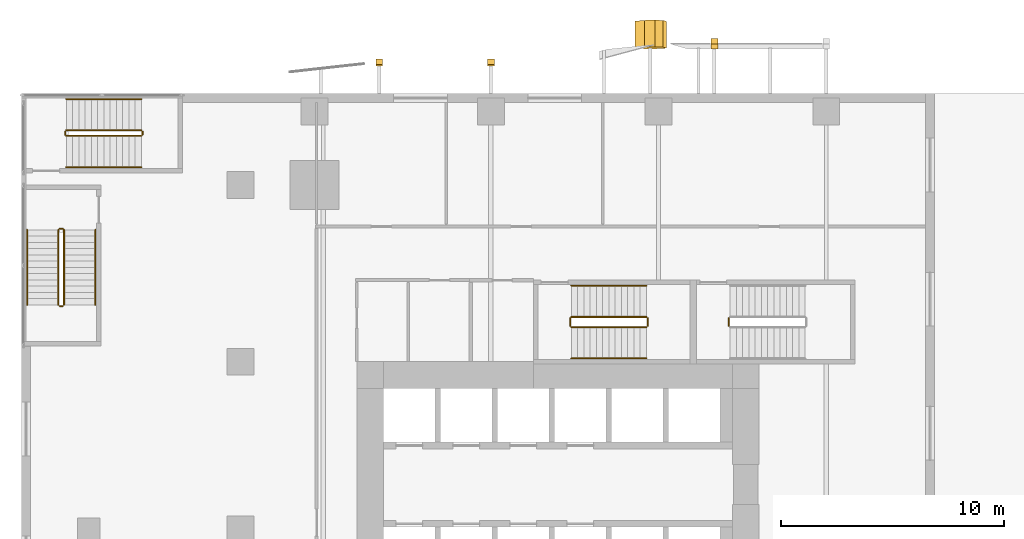
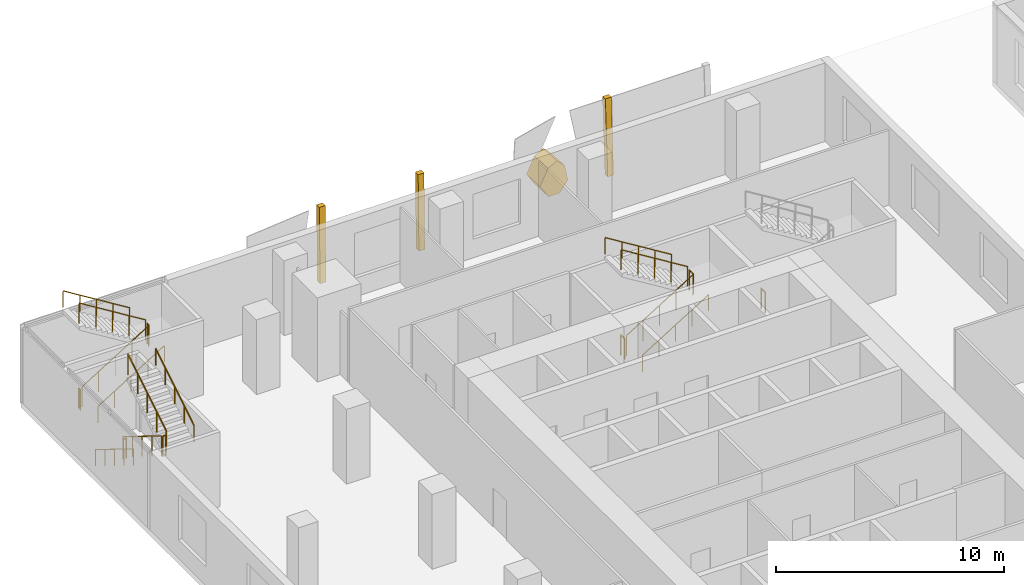
# One storey, part 18 of 21: 19 railings, 4 coverings.
"""IFC4 building model written with IfcOpenShell, lengths in metres."""

from ifc_helpers import new_model, si_unit, direction, frame, origin, origin_2d, place, context, subcontext, project, spatial, polyline, circle, outline, extrude, source, transform, mapped, material, layer, layer_set, type_object, element, save


model = new_model("IFC4")

# Units and contexts
model_context = context("Model", 3, precision=1e-05, world=origin(), true_north=direction((0.0, 1.0)))
body_context = subcontext(model_context, "Body", "Model", "MODEL_VIEW")
ifc_project = project(units=[si_unit("LENGTHUNIT", "METRE"), si_unit("AREAUNIT", "SQUARE_METRE"), si_unit("VOLUMEUNIT", "CUBIC_METRE"), si_unit("PLANEANGLEUNIT", "RADIAN"), si_unit("MASSUNIT", "GRAM", prefix="KILO")], contexts=[model_context])

# Site, building, storey
site_placement = place(None, origin())
site = spatial("IfcSite", under=ifc_project, at=site_placement, CompositionType="ELEMENT")
building_placement = place(site_placement, origin())
building = spatial("IfcBuilding", under=site, at=building_placement, Name="Khomas Fold Tower", CompositionType="ELEMENT")
storey_placement = place(building_placement, frame((0.0, 0.0, 28.5)))
storey = spatial("IfcBuildingStorey", under=building, at=storey_placement, Name="L05", CompositionType="ELEMENT", Elevation=28.5)

# Coverings
ifc_material_1 = material(Name="Natural stone cladding", Category="masonry")
ifc_layer_1 = layer(ifc_material_1, 0.25)
ifc_layer_set_1 = layer_set([ifc_layer_1], Name="Natural stone cladding")
covering_type_1 = type_object("IfcCoveringType", Name="SK-Karibib marble stone mullion", PredefinedType="CLADDING", material=ifc_layer_set_1)
for number, where, z_axis, x_axis, name in (
    (1, (6.85009765625, 55.230224609375, 0.0), (0.0, -0.999876254337, 0.015731370329), (0.0, 0.015731370329, 0.999876254337), "OUTER SKIN mullion L05 NM099-2"),
    (2, (12.14990234375, 55.2939453125, 4.050048828125), (0.0, -0.999876254337, 0.015731370329), (0.0, -0.015731370329, -0.999876254337), "OUTER SKIN mullion L05 NM100-3"),
):
    element("IfcCovering", number, at=place(storey_placement, frame(where, z_axis=z_axis, x_axis=x_axis)), inside=storey, type_object=covering_type_1, Name=name, PredefinedType="CLADDING", context=body_context, shape_type="SweptSolid", body=[
        extrude(outline(polyline([(0.0, 0.0), (4.050550066127245, 0.0), (4.050550066127245, -0.2998046875), (0.0, -0.2998046875), (0.0, 0.0)])), origin(), (0.0, 0.0, -1.0), 0.25),
    ])
covering_1_placement = place(storey_placement, frame((22.14990234375, 56.212890625, 4.050048828125), z_axis=(0.0, -0.998627623239, 0.052372417398), x_axis=(0.0, -0.052372417398, -0.998627623239)))
element("IfcCovering", 3, at=covering_1_placement, inside=storey, type_object=covering_type_1, Name="OUTER SKIN mullion L05 NM102-6", PredefinedType="CLADDING", context=body_context, shape_type="SweptSolid", body=[
    extrude(outline(polyline([(0.0, 0.0), (4.055614659435384, 0.0), (4.055614659435384, -0.2998046875), (0.0, -0.2998046875), (0.0, 0.0)])), origin(), (0.0, 0.0, -1.0), 0.25),
])
ifc_material_2 = material(Name="Natural stone cladding", Category="masonry")
ifc_layer_2 = layer(ifc_material_2, 1.199951171875)
ifc_layer_set_2 = layer_set([ifc_layer_2], Name="Natural stone cladding")
covering_type_2 = type_object("IfcCoveringType", Name="SK-Karibib marble stone panel", PredefinedType="CLADDING", material=ifc_layer_set_2)
covering_2_placement = place(storey_placement, frame((18.44921875, 56.034912109375, 0.65625), z_axis=(9.327259e-05, -0.998627327443, 0.052377974238), x_axis=(0.457891581446, 0.046607090606, 0.887785491403)))
element("IfcCovering", 4, at=covering_2_placement, inside=storey, type_object=covering_type_2, Name="OUTER SKIN leaf L05 NS05-1", PredefinedType="CLADDING", context=body_context, shape_type="SweptSolid", body=[
    extrude(outline(polyline([(0.0, 0.0), (0.9069465716216871, 5.551115123125783e-17), (1.3333639947640028, -0.3062698282906056), (1.1788591341948853, -0.8082166631725579), (0.5274575229037594, -1.3038311872241914), (-0.1457734907803711, -1.1521470374628402), (-0.40110170660619504, -0.6564208758639892), (0.0, 0.0)])), origin(), (0.0, 0.0, -1.0), 1.199951171875),
])

# Railings
ifc_material_3 = material(Name="Steel balustrade", Category="steel")
railing_type_1 = type_object("IfcRailingType", Name="Stair guard", PredefinedType="GUARDRAIL", material=ifc_material_3)
shared_shape_1 = source(origin(), body_context, "Body", "SweptSolid", [
    extrude(circle(Radius=0.02392578125, at=origin_2d()), frame((0.0, 0.0, 1.076171875), z_axis=(0.850606129759, 0.0, 0.525803396734), x_axis=(0.0, 1.0, 0.0)), (0.0, 0.0, 1.0), 3.949951171875),
    extrude(circle(Radius=0.02099609375, at=origin_2d()), origin(), (0.0, 0.0, 1.0), 1.052001953125),
    extrude(circle(Radius=0.02099609375, at=origin_2d()), frame((0.83984375, 0.0, 0.519287109375)), (0.0, 0.0, 1.0), 1.052001953125),
    extrude(circle(Radius=0.02099609375, at=origin_2d()), frame((1.679931640625, 0.0, 1.03857421875)), (0.0, 0.0, 1.0), 1.052001953125),
    extrude(circle(Radius=0.02099609375, at=origin_2d()), frame((2.52001953125, 0.0, 1.5576171875)), (0.0, 0.0, 1.0), 1.052001953125),
    extrude(circle(Radius=0.02099609375, at=origin_2d()), frame((3.35986328125, 0.0, 2.076904296875)), (0.0, 0.0, 1.0), 1.052001953125),
])
railing_1_placement = place(storey_placement, frame((15.60009765625, 43.550048828125, 0.173095703125)))
element("IfcRailing", 5, at=railing_1_placement, inside=storey, type_object=railing_type_1, Name="L05 ST1 stair guard 1", PredefinedType="GUARDRAIL", context=body_context, shape_type="MappedRepresentation", body=[
    mapped(shared_shape_1, transform((0.0, 0.0, 0.0))),
])
shared_shape_2 = source(origin(), body_context, "Body", "SweptSolid", [
    extrude(circle(Radius=0.02392578125, at=origin_2d()), frame((0.0, 0.0, 1.076171875), z_axis=(0.0, 1.0, 0.0), x_axis=(-1.0, 0.0, 0.0)), (0.0, 0.0, 1.0), 0.349853515625),
    extrude(circle(Radius=0.02099609375, at=origin_2d()), origin(), (0.0, 0.0, 1.0), 1.052001953125),
    extrude(circle(Radius=0.02099609375, at=origin_2d()), frame((0.0, 0.349853515625, 0.0)), (0.0, 0.0, 1.0), 1.052001953125),
])
for number, where, name in (
    (6, (19.010009765625, 43.60009765625, 2.25), "L05 ST1 stair guard 2"),
    (7, (15.550048828125, 43.60009765625, 0.0), "L05 ST1 stair guard 4"),
    (8, (22.64990234375, 43.60009765625, 0.0), "L05 ST3 stair guard 4"),
):
    element("IfcRailing", number, at=place(storey_placement, frame(where)), inside=storey, type_object=railing_type_1, Name=name, PredefinedType="GUARDRAIL", context=body_context, shape_type="MappedRepresentation", body=[
        mapped(shared_shape_2, transform((0.0, 0.0, 0.0))),
    ])
shared_shape_3 = source(origin(), body_context, "Body", "SweptSolid", [
    extrude(circle(Radius=0.02392578125, at=origin_2d()), frame((0.0, 0.0, 1.076171875), z_axis=(-0.850606129759, 0.0, 0.525803396734), x_axis=(0.0, -1.0, 0.0)), (0.0, 0.0, 1.0), 3.949951171875),
    extrude(circle(Radius=0.02099609375, at=origin_2d()), origin(), (0.0, 0.0, 1.0), 1.052001953125),
    extrude(circle(Radius=0.02099609375, at=origin_2d()), frame((-0.83984375, 0.0, 0.519287109375)), (0.0, 0.0, 1.0), 1.052001953125),
    extrude(circle(Radius=0.02099609375, at=origin_2d()), frame((-1.679931640625, 0.0, 1.03857421875)), (0.0, 0.0, 1.0), 1.052001953125),
    extrude(circle(Radius=0.02099609375, at=origin_2d()), frame((-2.52001953125, 0.0, 1.5576171875)), (0.0, 0.0, 1.0), 1.052001953125),
    extrude(circle(Radius=0.02099609375, at=origin_2d()), frame((-3.35986328125, 0.0, 2.076904296875)), (0.0, 0.0, 1.0), 1.052001953125),
])
railing_2_placement = place(storey_placement, frame((18.9599609375, 44.0, 2.423095703125)))
element("IfcRailing", 9, at=railing_2_placement, inside=storey, type_object=railing_type_1, Name="L05 ST1 stair guard 3", PredefinedType="GUARDRAIL", context=body_context, shape_type="MappedRepresentation", body=[
    mapped(shared_shape_3, transform((0.0, 0.0, 0.0))),
])
ifc_material_4 = material(Name="Steel handrail", Category="steel")
railing_type_2 = type_object("IfcRailingType", Name="Stair handrail", PredefinedType="HANDRAIL", material=ifc_material_4)
shared_shape_4 = source(origin(), body_context, "Body", "SweptSolid", [
    extrude(circle(Radius=0.02392578125, at=origin_2d()), frame((0.0, 0.0, 0.8759765625), z_axis=(0.850606129759, 0.0, 0.525803396734), x_axis=(0.0, 1.0, 0.0)), (0.0, 0.0, 1.0), 3.949951171875),
    extrude(circle(Radius=0.02099609375, at=origin_2d()), origin(), (0.0, 0.0, 1.0), 0.851806640625),
    extrude(circle(Radius=0.02099609375, at=origin_2d()), frame((0.83984375, 0.0, 0.519287109375)), (0.0, 0.0, 1.0), 0.851806640625),
    extrude(circle(Radius=0.02099609375, at=origin_2d()), frame((1.679931640625, 0.0, 1.03857421875)), (0.0, 0.0, 1.0), 0.851806640625),
    extrude(circle(Radius=0.02099609375, at=origin_2d()), frame((2.52001953125, 0.0, 1.5576171875)), (0.0, 0.0, 1.0), 0.851806640625),
    extrude(circle(Radius=0.02099609375, at=origin_2d()), frame((3.35986328125, 0.0, 2.076904296875)), (0.0, 0.0, 1.0), 0.851806640625),
])
railing_3_placement = place(storey_placement, frame((15.60009765625, 42.14990234375, 0.173095703125)))
element("IfcRailing", 10, at=railing_3_placement, inside=storey, type_object=railing_type_2, Name="L05 ST1 stair handrail 1", PredefinedType="HANDRAIL", context=body_context, shape_type="MappedRepresentation", body=[
    mapped(shared_shape_4, transform((0.0, 0.0, 0.0))),
])
shared_shape_5 = source(origin(), body_context, "Body", "SweptSolid", [
    extrude(circle(Radius=0.02392578125, at=origin_2d()), frame((0.0, 0.0, 0.8759765625), z_axis=(-0.850606129759, 0.0, 0.525803396734), x_axis=(0.0, -1.0, 0.0)), (0.0, 0.0, 1.0), 3.949951171875),
    extrude(circle(Radius=0.02099609375, at=origin_2d()), origin(), (0.0, 0.0, 1.0), 0.851806640625),
    extrude(circle(Radius=0.02099609375, at=origin_2d()), frame((-0.83984375, 0.0, 0.519287109375)), (0.0, 0.0, 1.0), 0.851806640625),
    extrude(circle(Radius=0.02099609375, at=origin_2d()), frame((-1.679931640625, 0.0, 1.03857421875)), (0.0, 0.0, 1.0), 0.851806640625),
    extrude(circle(Radius=0.02099609375, at=origin_2d()), frame((-2.52001953125, 0.0, 1.5576171875)), (0.0, 0.0, 1.0), 0.851806640625),
    extrude(circle(Radius=0.02099609375, at=origin_2d()), frame((-3.35986328125, 0.0, 2.076904296875)), (0.0, 0.0, 1.0), 0.851806640625),
])
railing_4_placement = place(storey_placement, frame((18.9599609375, 45.39990234375, 2.423095703125)))
element("IfcRailing", 11, at=railing_4_placement, inside=storey, type_object=railing_type_2, Name="L05 ST1 stair handrail 2", PredefinedType="HANDRAIL", context=body_context, shape_type="MappedRepresentation", body=[
    mapped(shared_shape_5, transform((0.0, 0.0, 0.0))),
])
shared_shape_6 = source(origin(), body_context, "Body", "SweptSolid", [
    extrude(circle(Radius=0.02392578125, at=origin_2d()), frame((0.0, 0.0, 1.076171875), z_axis=(0.850623216509, 0.0, 0.525775754039), x_axis=(0.0, 1.0, 0.0)), (0.0, 0.0, 1.0), 3.9501953125),
    extrude(circle(Radius=0.02099609375, at=origin_2d()), origin(), (0.0, 0.0, 1.0), 1.052001953125),
    extrude(circle(Radius=0.02099609375, at=origin_2d()), frame((0.840087890625, 0.0, 0.519287109375)), (0.0, 0.0, 1.0), 1.052001953125),
    extrude(circle(Radius=0.02099609375, at=origin_2d()), frame((1.68017578125, 0.0, 1.03857421875)), (0.0, 0.0, 1.0), 1.052001953125),
    extrude(circle(Radius=0.02099609375, at=origin_2d()), frame((2.52001953125, 0.0, 1.5576171875)), (0.0, 0.0, 1.0), 1.052001953125),
    extrude(circle(Radius=0.02099609375, at=origin_2d()), frame((3.360107421875, 0.0, 2.076904296875)), (0.0, 0.0, 1.0), 1.052001953125),
])
railing_5_placement = place(storey_placement, frame((-7.0, 52.10009765625, 0.173095703125)))
element("IfcRailing", 12, at=railing_5_placement, inside=storey, type_object=railing_type_1, Name="L05 PS7 stair guard 1", PredefinedType="GUARDRAIL", context=body_context, shape_type="MappedRepresentation", body=[
    mapped(shared_shape_6, transform((0.0, 0.0, 0.0))),
])
shared_shape_7 = source(origin(), body_context, "Body", "SweptSolid", [
    extrude(circle(Radius=0.02392578125, at=origin_2d()), frame((0.0, 0.0, 1.076171875), z_axis=(-0.850623216509, 0.0, 0.525775754039), x_axis=(0.0, -1.0, 0.0)), (0.0, 0.0, 1.0), 3.9501953125),
    extrude(circle(Radius=0.02099609375, at=origin_2d()), origin(), (0.0, 0.0, 1.0), 1.052001953125),
    extrude(circle(Radius=0.02099609375, at=origin_2d()), frame((-0.840087890625, 0.0, 0.519287109375)), (0.0, 0.0, 1.0), 1.052001953125),
    extrude(circle(Radius=0.02099609375, at=origin_2d()), frame((-1.68017578125, 0.0, 1.03857421875)), (0.0, 0.0, 1.0), 1.052001953125),
    extrude(circle(Radius=0.02099609375, at=origin_2d()), frame((-2.52001953125, 0.0, 1.5576171875)), (0.0, 0.0, 1.0), 1.052001953125),
    extrude(circle(Radius=0.02099609375, at=origin_2d()), frame((-3.360107421875, 0.0, 2.076904296875)), (0.0, 0.0, 1.0), 1.052001953125),
])
railing_6_placement = place(storey_placement, frame((-3.639892578125, 52.35009765625, 2.423095703125)))
element("IfcRailing", 13, at=railing_6_placement, inside=storey, type_object=railing_type_1, Name="L05 PS7 stair guard 3", PredefinedType="GUARDRAIL", context=body_context, shape_type="MappedRepresentation", body=[
    mapped(shared_shape_7, transform((0.0, 0.0, 0.0))),
])
shared_shape_8 = source(origin(), body_context, "Body", "SweptSolid", [
    extrude(circle(Radius=0.02392578125, at=origin_2d()), frame((0.0, 0.0, 0.8759765625), z_axis=(0.850623216509, 0.0, 0.525775754039), x_axis=(0.0, 1.0, 0.0)), (0.0, 0.0, 1.0), 3.9501953125),
    extrude(circle(Radius=0.02099609375, at=origin_2d()), origin(), (0.0, 0.0, 1.0), 0.851806640625),
    extrude(circle(Radius=0.02099609375, at=origin_2d()), frame((0.840087890625, 0.0, 0.519287109375)), (0.0, 0.0, 1.0), 0.851806640625),
    extrude(circle(Radius=0.02099609375, at=origin_2d()), frame((1.68017578125, 0.0, 1.03857421875)), (0.0, 0.0, 1.0), 0.851806640625),
    extrude(circle(Radius=0.02099609375, at=origin_2d()), frame((2.52001953125, 0.0, 1.5576171875)), (0.0, 0.0, 1.0), 0.851806640625),
    extrude(circle(Radius=0.02099609375, at=origin_2d()), frame((3.360107421875, 0.0, 2.076904296875)), (0.0, 0.0, 1.0), 0.851806640625),
])
railing_7_placement = place(storey_placement, frame((-7.0, 50.699951171875, 0.173095703125)))
element("IfcRailing", 14, at=railing_7_placement, inside=storey, type_object=railing_type_2, Name="L05 PS7 stair handrail 1", PredefinedType="HANDRAIL", context=body_context, shape_type="MappedRepresentation", body=[
    mapped(shared_shape_8, transform((0.0, 0.0, 0.0))),
])
shared_shape_9 = source(origin(), body_context, "Body", "SweptSolid", [
    extrude(circle(Radius=0.02392578125, at=origin_2d()), frame((0.0, 0.0, 0.8759765625), z_axis=(-0.850623216509, 0.0, 0.525775754039), x_axis=(0.0, -1.0, 0.0)), (0.0, 0.0, 1.0), 3.9501953125),
    extrude(circle(Radius=0.02099609375, at=origin_2d()), origin(), (0.0, 0.0, 1.0), 0.851806640625),
    extrude(circle(Radius=0.02099609375, at=origin_2d()), frame((-0.840087890625, 0.0, 0.519287109375)), (0.0, 0.0, 1.0), 0.851806640625),
    extrude(circle(Radius=0.02099609375, at=origin_2d()), frame((-1.68017578125, 0.0, 1.03857421875)), (0.0, 0.0, 1.0), 0.851806640625),
    extrude(circle(Radius=0.02099609375, at=origin_2d()), frame((-2.52001953125, 0.0, 1.5576171875)), (0.0, 0.0, 1.0), 0.851806640625),
    extrude(circle(Radius=0.02099609375, at=origin_2d()), frame((-3.360107421875, 0.0, 2.076904296875)), (0.0, 0.0, 1.0), 0.851806640625),
])
railing_8_placement = place(storey_placement, frame((-3.639892578125, 53.75, 2.423095703125)))
element("IfcRailing", 15, at=railing_8_placement, inside=storey, type_object=railing_type_2, Name="L05 PS7 stair handrail 2", PredefinedType="HANDRAIL", context=body_context, shape_type="MappedRepresentation", body=[
    mapped(shared_shape_9, transform((0.0, 0.0, 0.0))),
])
shared_shape_10 = source(origin(), body_context, "Body", "SweptSolid", [
    extrude(circle(Radius=0.02392578125, at=origin_2d()), frame((0.0, 0.0, 1.076171875), z_axis=(0.0, 1.0, 0.0), x_axis=(-1.0, 0.0, 0.0)), (0.0, 0.0, 1.0), 0.150146484375),
    extrude(circle(Radius=0.02099609375, at=origin_2d()), origin(), (0.0, 0.0, 1.0), 1.052001953125),
    extrude(circle(Radius=0.02099609375, at=origin_2d()), frame((0.0, 0.150146484375, 0.0)), (0.0, 0.0, 1.0), 1.052001953125),
])
for number, where, name in (
    (16, (-3.590087890625, 52.14990234375, 2.25), "L05 PS7 stair guard 2"),
    (17, (-7.050048828125, 52.14990234375, 0.0), "L05 PS7 stair guard 4"),
):
    element("IfcRailing", number, at=place(storey_placement, frame(where)), inside=storey, type_object=railing_type_1, Name=name, PredefinedType="GUARDRAIL", context=body_context, shape_type="MappedRepresentation", body=[
        mapped(shared_shape_10, transform((0.0, 0.0, 0.0))),
    ])
shared_shape_11 = source(origin(), body_context, "Body", "SweptSolid", [
    extrude(circle(Radius=0.02392578125, at=origin_2d()), frame((0.0, 0.0, 1.076171875), z_axis=(0.0, 0.850606129759, 0.525803396734), x_axis=(-1.0, 0.0, 0.0)), (0.0, 0.0, 1.0), 3.949951171875),
    extrude(circle(Radius=0.02099609375, at=origin_2d()), origin(), (0.0, 0.0, 1.0), 1.052001953125),
    extrude(circle(Radius=0.02099609375, at=origin_2d()), frame((0.0, 0.83984375, 0.519287109375)), (0.0, 0.0, 1.0), 1.052001953125),
    extrude(circle(Radius=0.02099609375, at=origin_2d()), frame((0.0, 1.679931640625, 1.03857421875)), (0.0, 0.0, 1.0), 1.052001953125),
    extrude(circle(Radius=0.02099609375, at=origin_2d()), frame((0.0, 2.52001953125, 1.5576171875)), (0.0, 0.0, 1.0), 1.052001953125),
    extrude(circle(Radius=0.02099609375, at=origin_2d()), frame((0.0, 3.35986328125, 2.076904296875)), (0.0, 0.0, 1.0), 1.052001953125),
])
railing_9_placement = place(storey_placement, frame((-7.10009765625, 44.5400390625, 2.423095703125)))
element("IfcRailing", 18, at=railing_9_placement, inside=storey, type_object=railing_type_1, Name="L05 PS8 stair guard 3", PredefinedType="GUARDRAIL", context=body_context, shape_type="MappedRepresentation", body=[
    mapped(shared_shape_11, transform((0.0, 0.0, 0.0))),
])
shared_shape_12 = source(origin(), body_context, "Body", "SweptSolid", [
    extrude(circle(Radius=0.02392578125, at=origin_2d()), frame((0.0, 0.0, 1.076171875), z_axis=(0.0, -0.850606129759, 0.525803396734), x_axis=(1.0, 0.0, 0.0)), (0.0, 0.0, 1.0), 3.949951171875),
    extrude(circle(Radius=0.02099609375, at=origin_2d()), origin(), (0.0, 0.0, 1.0), 1.052001953125),
    extrude(circle(Radius=0.02099609375, at=origin_2d()), frame((0.0, -0.83984375, 0.519287109375)), (0.0, 0.0, 1.0), 1.052001953125),
    extrude(circle(Radius=0.02099609375, at=origin_2d()), frame((0.0, -1.679931640625, 1.03857421875)), (0.0, 0.0, 1.0), 1.052001953125),
    extrude(circle(Radius=0.02099609375, at=origin_2d()), frame((0.0, -2.52001953125, 1.5576171875)), (0.0, 0.0, 1.0), 1.052001953125),
    extrude(circle(Radius=0.02099609375, at=origin_2d()), frame((0.0, -3.35986328125, 2.076904296875)), (0.0, 0.0, 1.0), 1.052001953125),
])
railing_10_placement = place(storey_placement, frame((-7.35009765625, 47.89990234375, 0.173095703125)))
element("IfcRailing", 19, at=railing_10_placement, inside=storey, type_object=railing_type_1, Name="L05 PS8 stair guard 1", PredefinedType="GUARDRAIL", context=body_context, shape_type="MappedRepresentation", body=[
    mapped(shared_shape_12, transform((0.0, 0.0, 0.0))),
])
shared_shape_13 = source(origin(), body_context, "Body", "SweptSolid", [
    extrude(circle(Radius=0.02392578125, at=origin_2d()), frame((0.0, 0.0, 0.8759765625), z_axis=(0.0, 0.850606129759, 0.525803396734), x_axis=(-1.0, 0.0, 0.0)), (0.0, 0.0, 1.0), 3.949951171875),
    extrude(circle(Radius=0.02099609375, at=origin_2d()), origin(), (0.0, 0.0, 1.0), 0.851806640625),
    extrude(circle(Radius=0.02099609375, at=origin_2d()), frame((0.0, 0.83984375, 0.519287109375)), (0.0, 0.0, 1.0), 0.851806640625),
    extrude(circle(Radius=0.02099609375, at=origin_2d()), frame((0.0, 1.679931640625, 1.03857421875)), (0.0, 0.0, 1.0), 0.851806640625),
    extrude(circle(Radius=0.02099609375, at=origin_2d()), frame((0.0, 2.52001953125, 1.5576171875)), (0.0, 0.0, 1.0), 0.851806640625),
    extrude(circle(Radius=0.02099609375, at=origin_2d()), frame((0.0, 3.35986328125, 2.076904296875)), (0.0, 0.0, 1.0), 0.851806640625),
])
railing_11_placement = place(storey_placement, frame((-5.699951171875, 44.5400390625, 2.423095703125)))
element("IfcRailing", 20, at=railing_11_placement, inside=storey, type_object=railing_type_2, Name="L05 PS8 stair handrail 2", PredefinedType="HANDRAIL", context=body_context, shape_type="MappedRepresentation", body=[
    mapped(shared_shape_13, transform((0.0, 0.0, 0.0))),
])
shared_shape_14 = source(origin(), body_context, "Body", "SweptSolid", [
    extrude(circle(Radius=0.02392578125, at=origin_2d()), frame((0.0, 0.0, 0.8759765625), z_axis=(0.0, -0.850606129759, 0.525803396734), x_axis=(1.0, 0.0, 0.0)), (0.0, 0.0, 1.0), 3.949951171875),
    extrude(circle(Radius=0.02099609375, at=origin_2d()), origin(), (0.0, 0.0, 1.0), 0.851806640625),
    extrude(circle(Radius=0.02099609375, at=origin_2d()), frame((0.0, -0.83984375, 0.519287109375)), (0.0, 0.0, 1.0), 0.851806640625),
    extrude(circle(Radius=0.02099609375, at=origin_2d()), frame((0.0, -1.679931640625, 1.03857421875)), (0.0, 0.0, 1.0), 0.851806640625),
    extrude(circle(Radius=0.02099609375, at=origin_2d()), frame((0.0, -2.52001953125, 1.5576171875)), (0.0, 0.0, 1.0), 0.851806640625),
    extrude(circle(Radius=0.02099609375, at=origin_2d()), frame((0.0, -3.35986328125, 2.076904296875)), (0.0, 0.0, 1.0), 0.851806640625),
])
railing_12_placement = place(storey_placement, frame((-8.75, 47.89990234375, 0.173095703125)))
element("IfcRailing", 21, at=railing_12_placement, inside=storey, type_object=railing_type_2, Name="L05 PS8 stair handrail 1", PredefinedType="HANDRAIL", context=body_context, shape_type="MappedRepresentation", body=[
    mapped(shared_shape_14, transform((0.0, 0.0, 0.0))),
])
shared_shape_15 = source(origin(), body_context, "Body", "SweptSolid", [
    extrude(circle(Radius=0.02392578125, at=origin_2d()), frame((0.0, 0.0, 1.076171875), z_axis=(1.0, 0.0, 0.0), x_axis=(0.0, 1.0, 0.0)), (0.0, 0.0, 1.0), 0.150146484375),
    extrude(circle(Radius=0.02099609375, at=origin_2d()), origin(), (0.0, 0.0, 1.0), 1.052001953125),
    extrude(circle(Radius=0.02099609375, at=origin_2d()), frame((0.150146484375, 0.0, 0.0)), (0.0, 0.0, 1.0), 1.052001953125),
])
for number, where, name in (
    (22, (-7.300048828125, 44.489990234375, 2.25), "L05 PS8 stair guard 2"),
    (23, (-7.300048828125, 47.949951171875, 0.0), "L05 PS8 stair guard 4"),
):
    element("IfcRailing", number, at=place(storey_placement, frame(where)), inside=storey, type_object=railing_type_1, Name=name, PredefinedType="GUARDRAIL", context=body_context, shape_type="MappedRepresentation", body=[
        mapped(shared_shape_15, transform((0.0, 0.0, 0.0))),
    ])

save(model, "model.ifc")
